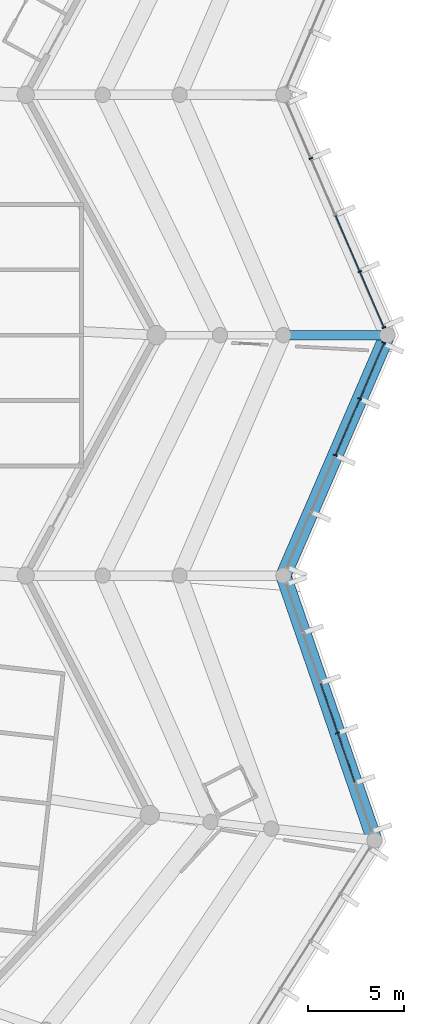
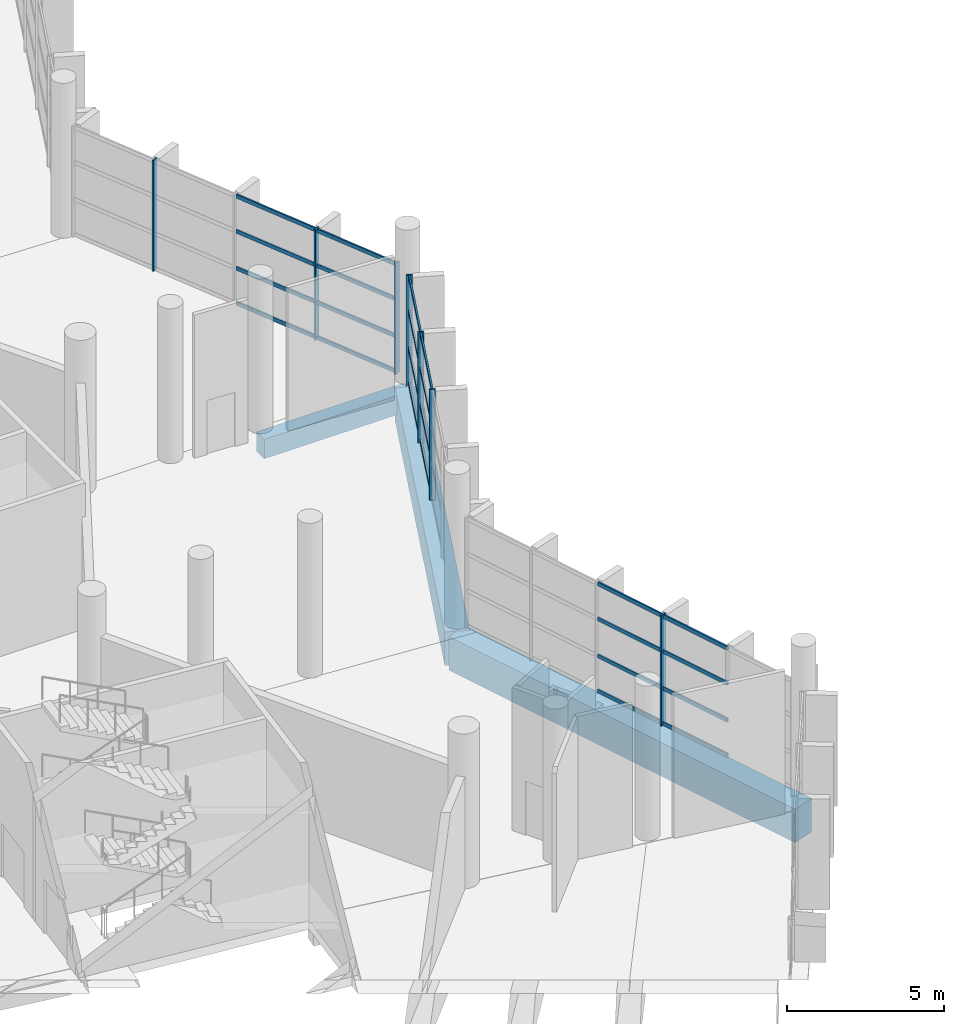
# One storey, part 47 of 249: 31 members, 3 beams, 3 elements without a shape of their own.
"""IFC4 building model written with IfcOpenShell, lengths in metres."""

from ifc_helpers import new_model, si_unit, direction, frame, origin, origin_2d, place, context, subcontext, project, spatial, rectangle, extrude, material, layer, layer_set, material_profile, profile_set, type_object, element, aggregate, save


model = new_model("IFC4")

# Units and contexts
model_context = context("Model", 3, precision=1e-05, world=origin(), true_north=direction((0.0, 1.0)))
body_context = subcontext(model_context, "Body", "Model", "MODEL_VIEW")
ifc_project = project(units=[si_unit("LENGTHUNIT", "METRE"), si_unit("AREAUNIT", "SQUARE_METRE"), si_unit("VOLUMEUNIT", "CUBIC_METRE"), si_unit("PLANEANGLEUNIT", "RADIAN"), si_unit("MASSUNIT", "GRAM", prefix="KILO")], contexts=[model_context])

# Site, building, storey
site_placement = place(None, origin())
site = spatial("IfcSite", under=ifc_project, at=site_placement, CompositionType="ELEMENT")
building_placement = place(site_placement, origin())
building = spatial("IfcBuilding", under=site, at=building_placement, Name="Meseta Stadium", CompositionType="ELEMENT")
storey_placement = place(building_placement, frame((0.0, 0.0, 12.0)))
storey = spatial("IfcBuildingStorey", under=building, at=storey_placement, Name="L02", CompositionType="ELEMENT", Elevation=12.0)

# Beams
ifc_material_1 = material(Name="Concrete C40/50", Category="concrete")
ifc_material_profile_1 = material_profile(ifc_material_1, rectangle(XDim=0.5, YDim=0.75, at=origin_2d()), Name="RC 500x750")
ifc_profile_set_1 = profile_set([ifc_material_profile_1], Name="Concrete C40/50")
beam_type_1 = type_object("IfcBeamType", Name="RC beam 500x750", PredefinedType="BEAM", material=ifc_profile_set_1)
beam_1_placement = place(storey_placement, frame((108.0, -31.25, -0.72509765625), z_axis=(1.0, 0.0, 0.0), x_axis=(0.0, 1.0, 0.0)))
element("IfcBeam", 1, at=beam_1_placement, inside=storey, type_object=beam_type_1, Name="L02 radial beam frame 2 line Q to O", PredefinedType="BEAM", context=body_context, shape_type="SweptSolid", body=[
    extrude(rectangle(XDim=0.5, YDim=0.75, at=origin_2d()), origin(), (0.0, 0.0, 1.0), 5.39990234375),
])
ifc_material_2 = material(Name="Concrete C40/50", Category="concrete")
ifc_material_profile_2 = material_profile(ifc_material_2, rectangle(XDim=0.800048828125, YDim=1.300048828125, at=origin_2d()), Name="RC 800x1300")
ifc_profile_set_2 = profile_set([ifc_material_profile_2], Name="Concrete C40/50")
beam_type_2 = type_object("IfcBeamType", Name="RC beam 800x1300", PredefinedType="BEAM", material=ifc_profile_set_2)
beam_2_placement = place(storey_placement, frame((112.73828125, -57.51953125, -1.0), z_axis=(-0.325387125895, 0.945580889349, 0.0), x_axis=(-0.945580889349, -0.325387125895, 0.0)))
element("IfcBeam", 2, at=beam_2_placement, inside=storey, type_object=beam_type_2, Name="L02 ring beam frame 0 line O", PredefinedType="BEAM", context=body_context, shape_type="SweptSolid", body=[
    extrude(rectangle(XDim=0.800048828125, YDim=1.300048828125, at=origin_2d()), origin(), (0.0, 0.0, 1.0), 14.56201171875),
])
beam_3_placement = place(storey_placement, frame((108.0, -43.75, -1.0), z_axis=(0.396570645327, 0.918004206562, 0.0), x_axis=(-0.918004206562, 0.396570645327, 0.0)))
element("IfcBeam", 3, at=beam_3_placement, inside=storey, type_object=beam_type_2, Name="L02 ring beam frame 1 line O", PredefinedType="BEAM", context=body_context, shape_type="SweptSolid", body=[
    extrude(rectangle(XDim=0.800048828125, YDim=1.300048828125, at=origin_2d()), origin(), (0.0, 0.0, 1.0), 13.616455078125),
])

# Curtain wall, member
ifc_material_3 = material(Name="Aluminium", Category="aluminium")
ifc_layer = layer(ifc_material_3, 0.199951171875)
ifc_layer_set = layer_set([ifc_layer], Name="Ring shopfront curtain wall")
curtain_wall_type = type_object("IfcCurtainWallType", Name="Ring shopfront curtain wall", PredefinedType="NOTDEFINED", material=ifc_layer_set)
curtain_wall_1_placement = place(storey_placement, origin())
curtain_wall_1 = element("IfcCurtainWall", 4, at=curtain_wall_1_placement, inside=storey, type_object=curtain_wall_type, Name="Ring glazing L02 F00", PredefinedType="NOTDEFINED")
ifc_material_4 = material(Name="Aluminium", Category="aluminium")
ifc_material_profile_3 = material_profile(ifc_material_4, rectangle(XDim=0.199951171875, YDim=0.06005859375, at=origin_2d()), Name="CW 200x60")
ifc_profile_set_3 = profile_set([ifc_material_profile_3], Name="Aluminium")
member_type_1 = type_object("IfcMemberType", Name="Ring CW mullion 60x200", PredefinedType="MULLION", material=ifc_profile_set_3)
member_1_placement = place(storey_placement, frame((110.81689453125, -51.93603515625, 0.0), z_axis=(0.0, 0.0, 1.0), x_axis=(-0.945581280042, -0.325385990532, 0.0)))
member_1 = element("IfcMember", 5, at=member_1_placement, type_object=member_type_1, Name="CWR1 mullion 3", PredefinedType="MULLION", context=body_context, shape_type="SweptSolid", body=[
    extrude(rectangle(XDim=0.199951171875, YDim=0.06005859375, at=origin_2d()), origin(), (0.0, 0.0, 1.0), 4.300048828125),
])

# Curtain wall, members
curtain_wall_2_placement = place(storey_placement, origin())
curtain_wall_2 = element("IfcCurtainWall", 6, at=curtain_wall_2_placement, inside=storey, type_object=curtain_wall_type, Name="Ring glazing L02 F01", PredefinedType="NOTDEFINED")
member_2_placement = place(storey_placement, frame((110.699951171875, -37.5, 0.0), z_axis=(0.0, 0.0, 1.0), x_axis=(-0.91799986854, 0.396580687073, 0.0)))
member_2 = element("IfcMember", 7, at=member_2_placement, type_object=member_type_1, Name="CWR1 mullion 3", PredefinedType="MULLION", context=body_context, shape_type="SweptSolid", body=[
    extrude(rectangle(XDim=0.199951171875, YDim=0.06005859375, at=origin_2d()), origin(), (0.0, 0.0, 1.0), 4.300048828125),
])
member_3_placement = place(storey_placement, frame((111.970703125, -34.55859375, 0.0), z_axis=(0.0, 0.0, 1.0), x_axis=(-0.91799986854, 0.396580687073, 0.0)))
member_3 = element("IfcMember", 8, at=member_3_placement, type_object=member_type_1, Name="CWR1 mullion 4", PredefinedType="MULLION", context=body_context, shape_type="SweptSolid", body=[
    extrude(rectangle(XDim=0.199951171875, YDim=0.06005859375, at=origin_2d()), origin(), (0.0, 0.0, 1.0), 4.300048828125),
])
member_4_placement = place(storey_placement, frame((113.2294921875, -31.644775390625, 0.0), z_axis=(0.0, 0.0, 1.0), x_axis=(-0.91799986854, 0.396580687073, 0.0)))
member_4 = element("IfcMember", 9, at=member_4_placement, type_object=member_type_1, Name="CWR1 mullion 5", PredefinedType="MULLION", context=body_context, shape_type="SweptSolid", body=[
    extrude(rectangle(XDim=0.199951171875, YDim=0.06005859375, at=origin_2d()), origin(), (0.0, 0.0, 1.0), 4.300048828125),
])

curtain_wall_3_placement = place(storey_placement, origin())
curtain_wall_3 = element("IfcCurtainWall", 10, at=curtain_wall_3_placement, inside=storey, type_object=curtain_wall_type, Name="Ring glazing L02 F02", PredefinedType="NOTDEFINED")
member_5_placement = place(storey_placement, frame((113.2294921875, -30.855224609375, 0.0), z_axis=(0.0, 0.0, 1.0), x_axis=(-0.91799986854, -0.396580687073, 0.0)))
member_5 = element("IfcMember", 11, at=member_5_placement, type_object=member_type_1, Name="CWR1 mullion 1", PredefinedType="MULLION", context=body_context, shape_type="SweptSolid", body=[
    extrude(rectangle(XDim=0.199951171875, YDim=0.06005859375, at=origin_2d()), origin(), (0.0, 0.0, 1.0), 4.300048828125),
])
member_6_placement = place(storey_placement, frame((111.970703125, -27.94140625, 0.0), z_axis=(0.0, 0.0, 1.0), x_axis=(-0.91799986854, -0.396580687073, 0.0)))
member_6 = element("IfcMember", 12, at=member_6_placement, type_object=member_type_1, Name="CWR1 mullion 2", PredefinedType="MULLION", context=body_context, shape_type="SweptSolid", body=[
    extrude(rectangle(XDim=0.199951171875, YDim=0.06005859375, at=origin_2d()), origin(), (0.0, 0.0, 1.0), 4.300048828125),
])
member_7_placement = place(storey_placement, frame((109.42919921875, -22.05859375, 0.0), z_axis=(0.0, 0.0, 1.0), x_axis=(-0.91799986854, -0.396580687073, 0.0)))
member_7 = element("IfcMember", 13, at=member_7_placement, type_object=member_type_1, Name="CWR1 mullion 4", PredefinedType="MULLION", context=body_context, shape_type="SweptSolid", body=[
    extrude(rectangle(XDim=0.199951171875, YDim=0.06005859375, at=origin_2d()), origin(), (0.0, 0.0, 1.0), 4.300048828125),
])

# Member
ifc_material_5 = material(Name="Aluminium", Category="aluminium")
ifc_material_profile_4 = material_profile(ifc_material_5, rectangle(XDim=0.06005859375, YDim=0.14990234375, at=origin_2d()), Name="CW 60x150")
ifc_profile_set_4 = profile_set([ifc_material_profile_4], Name="Aluminium")
member_type_2 = type_object("IfcMemberType", Name="Ring CW transom 60x150", PredefinedType="USERDEFINED", material=ifc_profile_set_4)
member_8_placement = place(storey_placement, frame((111.702880859375, -54.510498046875, 0.074951171875), z_axis=(-0.32543452855, 0.945564576128, 0.0), x_axis=(-0.945564576128, -0.32543452855, 0.0)))
member_8 = element("IfcMember", 14, at=member_8_placement, type_object=member_type_2, Name="CWR1 transom 2.1", ObjectType="TRANSOM", PredefinedType="USERDEFINED", context=body_context, shape_type="SweptSolid", body=[
    extrude(rectangle(XDim=0.06005859375, YDim=0.14990234375, at=origin_2d()), origin(), (0.0, 0.0, 1.0), 2.6923828125),
])

member_9_placement = place(storey_placement, frame((111.702880859375, -54.510498046875, 1.433349609375), z_axis=(-0.32543452855, 0.945564576128, 0.0), x_axis=(-0.945564576128, -0.32543452855, 0.0)))
member_9 = element("IfcMember", 15, at=member_9_placement, type_object=member_type_2, Name="CWR1 transom 2.2", ObjectType="TRANSOM", PredefinedType="USERDEFINED", context=body_context, shape_type="SweptSolid", body=[
    extrude(rectangle(XDim=0.06005859375, YDim=0.14990234375, at=origin_2d()), origin(), (0.0, 0.0, 1.0), 2.6923828125),
])

member_10_placement = place(storey_placement, frame((111.702880859375, -54.510498046875, 2.86669921875), z_axis=(-0.32543452855, 0.945564576128, 0.0), x_axis=(-0.945564576128, -0.32543452855, 0.0)))
member_10 = element("IfcMember", 16, at=member_10_placement, type_object=member_type_2, Name="CWR1 transom 2.3", ObjectType="TRANSOM", PredefinedType="USERDEFINED", context=body_context, shape_type="SweptSolid", body=[
    extrude(rectangle(XDim=0.06005859375, YDim=0.14990234375, at=origin_2d()), origin(), (0.0, 0.0, 1.0), 2.6923828125),
])

member_11_placement = place(storey_placement, frame((111.702880859375, -54.510498046875, 4.22509765625), z_axis=(-0.32543452855, 0.945564576128, 0.0), x_axis=(-0.945564576128, -0.32543452855, 0.0)))
member_11 = element("IfcMember", 17, at=member_11_placement, type_object=member_type_2, Name="CWR1 transom 2.4", ObjectType="TRANSOM", PredefinedType="USERDEFINED", context=body_context, shape_type="SweptSolid", body=[
    extrude(rectangle(XDim=0.06005859375, YDim=0.14990234375, at=origin_2d()), origin(), (0.0, 0.0, 1.0), 2.6923828125),
])

member_12_placement = place(storey_placement, frame((110.80712890625, -51.90771484375, 0.074951171875), z_axis=(-0.32535345265, 0.945592476096, 0.0), x_axis=(-0.945592476096, -0.32535345265, 0.0)))
member_12 = element("IfcMember", 18, at=member_12_placement, type_object=member_type_2, Name="CWR1 transom 3.1", ObjectType="TRANSOM", PredefinedType="USERDEFINED", context=body_context, shape_type="SweptSolid", body=[
    extrude(rectangle(XDim=0.06005859375, YDim=0.14990234375, at=origin_2d()), origin(), (0.0, 0.0, 1.0), 2.6923828125),
])

member_13_placement = place(storey_placement, frame((110.80712890625, -51.90771484375, 1.433349609375), z_axis=(-0.32535345265, 0.945592476096, 0.0), x_axis=(-0.945592476096, -0.32535345265, 0.0)))
member_13 = element("IfcMember", 19, at=member_13_placement, type_object=member_type_2, Name="CWR1 transom 3.2", ObjectType="TRANSOM", PredefinedType="USERDEFINED", context=body_context, shape_type="SweptSolid", body=[
    extrude(rectangle(XDim=0.06005859375, YDim=0.14990234375, at=origin_2d()), origin(), (0.0, 0.0, 1.0), 2.6923828125),
])

member_14_placement = place(storey_placement, frame((110.80712890625, -51.90771484375, 2.86669921875), z_axis=(-0.32535345265, 0.945592476096, 0.0), x_axis=(-0.945592476096, -0.32535345265, 0.0)))
member_14 = element("IfcMember", 20, at=member_14_placement, type_object=member_type_2, Name="CWR1 transom 3.3", ObjectType="TRANSOM", PredefinedType="USERDEFINED", context=body_context, shape_type="SweptSolid", body=[
    extrude(rectangle(XDim=0.06005859375, YDim=0.14990234375, at=origin_2d()), origin(), (0.0, 0.0, 1.0), 2.6923828125),
])

member_15_placement = place(storey_placement, frame((110.80712890625, -51.90771484375, 4.22509765625), z_axis=(-0.32535345265, 0.945592476096, 0.0), x_axis=(-0.945592476096, -0.32535345265, 0.0)))
member_15 = element("IfcMember", 21, at=member_15_placement, type_object=member_type_2, Name="CWR1 transom 3.4", ObjectType="TRANSOM", PredefinedType="USERDEFINED", context=body_context, shape_type="SweptSolid", body=[
    extrude(rectangle(XDim=0.06005859375, YDim=0.14990234375, at=origin_2d()), origin(), (0.0, 0.0, 1.0), 2.6923828125),
])

aggregate(curtain_wall_1, [member_1, member_8, member_9, member_10, member_11, member_12, member_13, member_14, member_15])

member_16_placement = place(storey_placement, frame((110.7119140625, -37.472412109375, 0.074951171875), z_axis=(0.396569883564, 0.918004535637, 0.0), x_axis=(-0.918004535637, 0.396569883564, 0.0)))
member_16 = element("IfcMember", 22, at=member_16_placement, type_object=member_type_2, Name="CWR1 transom 3.1", ObjectType="TRANSOM", PredefinedType="USERDEFINED", context=body_context, shape_type="SweptSolid", body=[
    extrude(rectangle(XDim=0.06005859375, YDim=0.14990234375, at=origin_2d()), origin(), (0.0, 0.0, 1.0), 3.14404296875),
])

member_17_placement = place(storey_placement, frame((110.7119140625, -37.472412109375, 1.433349609375), z_axis=(0.396569883564, 0.918004535637, 0.0), x_axis=(-0.918004535637, 0.396569883564, 0.0)))
member_17 = element("IfcMember", 23, at=member_17_placement, type_object=member_type_2, Name="CWR1 transom 3.2", ObjectType="TRANSOM", PredefinedType="USERDEFINED", context=body_context, shape_type="SweptSolid", body=[
    extrude(rectangle(XDim=0.06005859375, YDim=0.14990234375, at=origin_2d()), origin(), (0.0, 0.0, 1.0), 3.14404296875),
])

member_18_placement = place(storey_placement, frame((110.7119140625, -37.472412109375, 2.86669921875), z_axis=(0.396569883564, 0.918004535637, 0.0), x_axis=(-0.918004535637, 0.396569883564, 0.0)))
member_18 = element("IfcMember", 24, at=member_18_placement, type_object=member_type_2, Name="CWR1 transom 3.3", ObjectType="TRANSOM", PredefinedType="USERDEFINED", context=body_context, shape_type="SweptSolid", body=[
    extrude(rectangle(XDim=0.06005859375, YDim=0.14990234375, at=origin_2d()), origin(), (0.0, 0.0, 1.0), 3.14404296875),
])

member_19_placement = place(storey_placement, frame((110.7119140625, -37.472412109375, 4.22509765625), z_axis=(0.396569883564, 0.918004535637, 0.0), x_axis=(-0.918004535637, 0.396569883564, 0.0)))
member_19 = element("IfcMember", 25, at=member_19_placement, type_object=member_type_2, Name="CWR1 transom 3.4", ObjectType="TRANSOM", PredefinedType="USERDEFINED", context=body_context, shape_type="SweptSolid", body=[
    extrude(rectangle(XDim=0.06005859375, YDim=0.14990234375, at=origin_2d()), origin(), (0.0, 0.0, 1.0), 3.14404296875),
])

member_20_placement = place(storey_placement, frame((111.982666015625, -34.531005859375, 0.074951171875), z_axis=(0.396557660608, 0.91800981575, 0.0), x_axis=(-0.91800981575, 0.396557660608, 0.0)))
member_20 = element("IfcMember", 26, at=member_20_placement, type_object=member_type_2, Name="CWR1 transom 4.1", ObjectType="TRANSOM", PredefinedType="USERDEFINED", context=body_context, shape_type="SweptSolid", body=[
    extrude(rectangle(XDim=0.06005859375, YDim=0.14990234375, at=origin_2d()), origin(), (0.0, 0.0, 1.0), 3.114013671875),
])

member_21_placement = place(storey_placement, frame((111.982666015625, -34.531005859375, 1.433349609375), z_axis=(0.396557660608, 0.91800981575, 0.0), x_axis=(-0.91800981575, 0.396557660608, 0.0)))
member_21 = element("IfcMember", 27, at=member_21_placement, type_object=member_type_2, Name="CWR1 transom 4.2", ObjectType="TRANSOM", PredefinedType="USERDEFINED", context=body_context, shape_type="SweptSolid", body=[
    extrude(rectangle(XDim=0.06005859375, YDim=0.14990234375, at=origin_2d()), origin(), (0.0, 0.0, 1.0), 3.114013671875),
])

member_22_placement = place(storey_placement, frame((111.982666015625, -34.531005859375, 2.86669921875), z_axis=(0.396557660608, 0.91800981575, 0.0), x_axis=(-0.91800981575, 0.396557660608, 0.0)))
member_22 = element("IfcMember", 28, at=member_22_placement, type_object=member_type_2, Name="CWR1 transom 4.3", ObjectType="TRANSOM", PredefinedType="USERDEFINED", context=body_context, shape_type="SweptSolid", body=[
    extrude(rectangle(XDim=0.06005859375, YDim=0.14990234375, at=origin_2d()), origin(), (0.0, 0.0, 1.0), 3.114013671875),
])

member_23_placement = place(storey_placement, frame((111.982666015625, -34.531005859375, 4.22509765625), z_axis=(0.396557660608, 0.91800981575, 0.0), x_axis=(-0.91800981575, 0.396557660608, 0.0)))
member_23 = element("IfcMember", 29, at=member_23_placement, type_object=member_type_2, Name="CWR1 transom 4.4", ObjectType="TRANSOM", PredefinedType="USERDEFINED", context=body_context, shape_type="SweptSolid", body=[
    extrude(rectangle(XDim=0.06005859375, YDim=0.14990234375, at=origin_2d()), origin(), (0.0, 0.0, 1.0), 3.114013671875),
])

aggregate(curtain_wall_2, [member_2, member_3, member_4, member_16, member_17, member_18, member_19, member_20, member_21, member_22, member_23])

member_24_placement = place(storey_placement, frame((113.217529296875, -30.82763671875, 0.074951171875), z_axis=(-0.396557660608, 0.91800981575, 0.0), x_axis=(-0.91800981575, -0.396557660608, 0.0)))
member_24 = element("IfcMember", 30, at=member_24_placement, type_object=member_type_2, Name="CWR1 transom 1.1", ObjectType="TRANSOM", PredefinedType="USERDEFINED", context=body_context, shape_type="SweptSolid", body=[
    extrude(rectangle(XDim=0.06005859375, YDim=0.14990234375, at=origin_2d()), origin(), (0.0, 0.0, 1.0), 3.114013671875),
])

member_25_placement = place(storey_placement, frame((113.217529296875, -30.82763671875, 1.433349609375), z_axis=(-0.396557660608, 0.91800981575, 0.0), x_axis=(-0.91800981575, -0.396557660608, 0.0)))
member_25 = element("IfcMember", 31, at=member_25_placement, type_object=member_type_2, Name="CWR1 transom 1.2", ObjectType="TRANSOM", PredefinedType="USERDEFINED", context=body_context, shape_type="SweptSolid", body=[
    extrude(rectangle(XDim=0.06005859375, YDim=0.14990234375, at=origin_2d()), origin(), (0.0, 0.0, 1.0), 3.114013671875),
])

member_26_placement = place(storey_placement, frame((113.217529296875, -30.82763671875, 2.86669921875), z_axis=(-0.396557660608, 0.91800981575, 0.0), x_axis=(-0.91800981575, -0.396557660608, 0.0)))
member_26 = element("IfcMember", 32, at=member_26_placement, type_object=member_type_2, Name="CWR1 transom 1.3", ObjectType="TRANSOM", PredefinedType="USERDEFINED", context=body_context, shape_type="SweptSolid", body=[
    extrude(rectangle(XDim=0.06005859375, YDim=0.14990234375, at=origin_2d()), origin(), (0.0, 0.0, 1.0), 3.114013671875),
])

member_27_placement = place(storey_placement, frame((113.217529296875, -30.82763671875, 4.22509765625), z_axis=(-0.396557660608, 0.91800981575, 0.0), x_axis=(-0.91800981575, -0.396557660608, 0.0)))
member_27 = element("IfcMember", 33, at=member_27_placement, type_object=member_type_2, Name="CWR1 transom 1.4", ObjectType="TRANSOM", PredefinedType="USERDEFINED", context=body_context, shape_type="SweptSolid", body=[
    extrude(rectangle(XDim=0.06005859375, YDim=0.14990234375, at=origin_2d()), origin(), (0.0, 0.0, 1.0), 3.114013671875),
])

member_28_placement = place(storey_placement, frame((111.958740234375, -27.913818359375, 0.074951171875), z_axis=(-0.396569883564, 0.918004535637, 0.0), x_axis=(-0.918004535637, -0.396569883564, 0.0)))
member_28 = element("IfcMember", 34, at=member_28_placement, type_object=member_type_2, Name="CWR1 transom 2.1", ObjectType="TRANSOM", PredefinedType="USERDEFINED", context=body_context, shape_type="SweptSolid", body=[
    extrude(rectangle(XDim=0.06005859375, YDim=0.14990234375, at=origin_2d()), origin(), (0.0, 0.0, 1.0), 3.14404296875),
])

member_29_placement = place(storey_placement, frame((111.958740234375, -27.913818359375, 1.433349609375), z_axis=(-0.396569883564, 0.918004535637, 0.0), x_axis=(-0.918004535637, -0.396569883564, 0.0)))
member_29 = element("IfcMember", 35, at=member_29_placement, type_object=member_type_2, Name="CWR1 transom 2.2", ObjectType="TRANSOM", PredefinedType="USERDEFINED", context=body_context, shape_type="SweptSolid", body=[
    extrude(rectangle(XDim=0.06005859375, YDim=0.14990234375, at=origin_2d()), origin(), (0.0, 0.0, 1.0), 3.14404296875),
])

member_30_placement = place(storey_placement, frame((111.958740234375, -27.913818359375, 2.86669921875), z_axis=(-0.396569883564, 0.918004535637, 0.0), x_axis=(-0.918004535637, -0.396569883564, 0.0)))
member_30 = element("IfcMember", 36, at=member_30_placement, type_object=member_type_2, Name="CWR1 transom 2.3", ObjectType="TRANSOM", PredefinedType="USERDEFINED", context=body_context, shape_type="SweptSolid", body=[
    extrude(rectangle(XDim=0.06005859375, YDim=0.14990234375, at=origin_2d()), origin(), (0.0, 0.0, 1.0), 3.14404296875),
])

member_31_placement = place(storey_placement, frame((111.958740234375, -27.913818359375, 4.22509765625), z_axis=(-0.396569883564, 0.918004535637, 0.0), x_axis=(-0.918004535637, -0.396569883564, 0.0)))
member_31 = element("IfcMember", 37, at=member_31_placement, type_object=member_type_2, Name="CWR1 transom 2.4", ObjectType="TRANSOM", PredefinedType="USERDEFINED", context=body_context, shape_type="SweptSolid", body=[
    extrude(rectangle(XDim=0.06005859375, YDim=0.14990234375, at=origin_2d()), origin(), (0.0, 0.0, 1.0), 3.14404296875),
])

aggregate(curtain_wall_3, [member_5, member_6, member_7, member_24, member_25, member_26, member_27, member_28, member_29, member_30, member_31])

save(model, "model.ifc")
